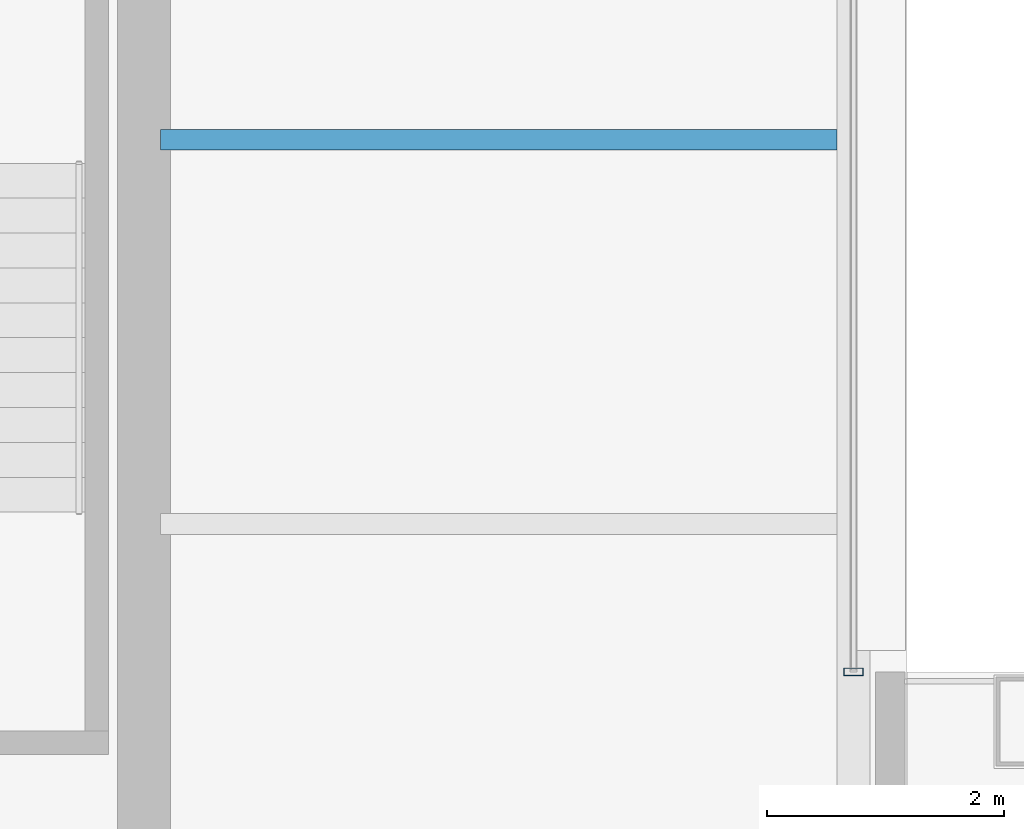
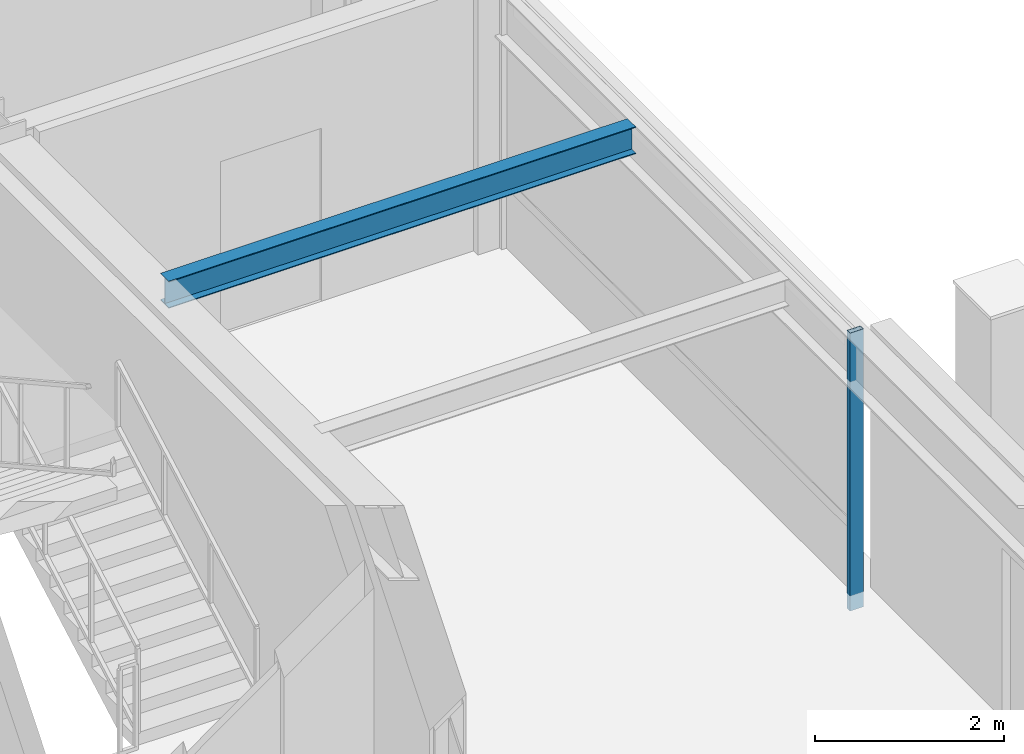
# One storey, part 16 of 30: 1 beam, 1 member, 1 element without a shape of its own.
"""IFC4 building model written with IfcOpenShell, lengths in metres."""

from ifc_helpers import new_model, si_unit, direction, frame, origin, origin_2d, place, context, subcontext, project, spatial, hollow_rectangle, i_section, extrude, material, layer, layer_set, material_profile, profile_set, type_object, element, aggregate, save


model = new_model("IFC4")

# Units and contexts
model_context = context("Model", 3, precision=1e-05, world=origin(), true_north=direction((0.0, 1.0)))
body_context = subcontext(model_context, "Body", "Model", "MODEL_VIEW")
ifc_project = project(units=[si_unit("LENGTHUNIT", "METRE"), si_unit("AREAUNIT", "SQUARE_METRE"), si_unit("VOLUMEUNIT", "CUBIC_METRE"), si_unit("PLANEANGLEUNIT", "RADIAN"), si_unit("MASSUNIT", "GRAM", prefix="KILO")], contexts=[model_context])

# Site, building, storey
site_placement = place(None, origin())
site = spatial("IfcSite", under=ifc_project, at=site_placement, CompositionType="ELEMENT")
building_placement = place(site_placement, origin())
building = spatial("IfcBuilding", under=site, at=building_placement, Name="Brelmoor Portico Tower", CompositionType="ELEMENT")
storey_placement = place(building_placement, frame((0.0, 0.0, 187.5)))
storey = spatial("IfcBuildingStorey", under=building, at=storey_placement, Name="L49", CompositionType="ELEMENT", Elevation=187.5)

# Beam
ifc_material_1 = material(Name="Steel Q355B", Category="steel")
ifc_material_profile_1 = material_profile(ifc_material_1, i_section(OverallWidth=0.175048828125, OverallDepth=0.35009765625, WebThickness=0.007080078125, FlangeThickness=0.010986328125, at=origin_2d()), Name="HN 350x175x7x11")
ifc_profile_set_1 = profile_set([ifc_material_profile_1], Name="Steel Q355B")
beam_type = type_object("IfcBeamType", Name="BM-JS-350", PredefinedType="JOIST", material=ifc_profile_set_1)
beam_placement = place(storey_placement, frame((14.68994140625, 6.5, 3.22509765625), z_axis=(1.0, 0.0, 0.0), x_axis=(0.0, 1.0, 0.0)))
element("IfcBeam", 1, at=beam_placement, inside=storey, type_object=beam_type, Name="L49 Secondary Wing Joist JS-E12", PredefinedType="JOIST", context=body_context, shape_type="SweptSolid", body=[
    extrude(i_section(OverallWidth=0.175048828125, OverallDepth=0.35009765625, WebThickness=0.007080078125, FlangeThickness=0.010986328125, at=origin_2d()), origin(), (0.0, 0.0, 1.0), 5.719970703125),
])

# Curtain wall, member
ifc_material_2 = material(Name="Anodised Aluminium Alloy 6063-T6", Category="aluminium")
ifc_layer = layer(ifc_material_2, 0.179931640625)
ifc_layer_set = layer_set([ifc_layer], Name="Anodised Aluminium Alloy 6063-T6")
curtain_wall_type = type_object("IfcCurtainWallType", Name="CW-TOWER-Z3", PredefinedType="NOTDEFINED", material=ifc_layer_set)
curtain_wall_placement = place(storey_placement, origin())
curtain_wall = element("IfcCurtainWall", 2, at=curtain_wall_placement, inside=storey, type_object=curtain_wall_type, Name="L49 Curtain Wall CW-L49-4R-1", PredefinedType="NOTDEFINED")
ifc_material_profile_2 = material_profile(ifc_material_2, hollow_rectangle(XDim=0.06494140625, YDim=0.1650390625, WallThickness=0.00390625, at=origin_2d()), Name="ALU MULLION 65x165")
ifc_profile_set_2 = profile_set([ifc_material_profile_2], Name="Anodised Aluminium Alloy 6063-T6")
member_type = type_object("IfcMemberType", Name="MB-CW-MULL-165", PredefinedType="MULLION", material=ifc_profile_set_2)
member_placement = place(storey_placement, frame((20.550048828125, 2.0, -0.199951171875), z_axis=(0.0, 0.0, 1.0), x_axis=(0.0, 1.0, 0.0)))
member = element("IfcMember", 3, at=member_placement, type_object=member_type, Name="CW-L49-4R-1 Mullion 00", PredefinedType="MULLION", context=body_context, shape_type="SweptSolid", body=[
    extrude(hollow_rectangle(XDim=0.06494140625, YDim=0.1650390625, WallThickness=0.00390625, at=origin_2d()), origin(), (0.0, 0.0, 1.0), 3.599853515625),
])
aggregate(curtain_wall, [member])

save(model, "model.ifc")
